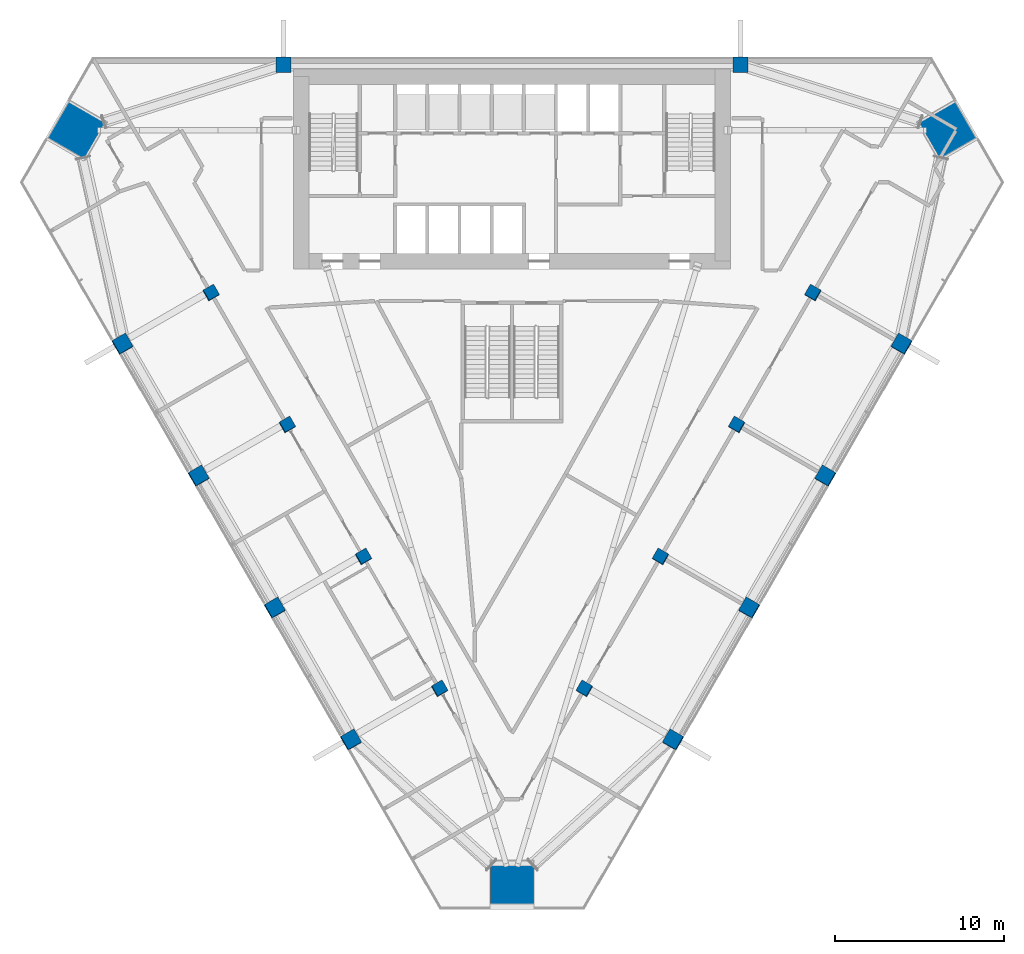
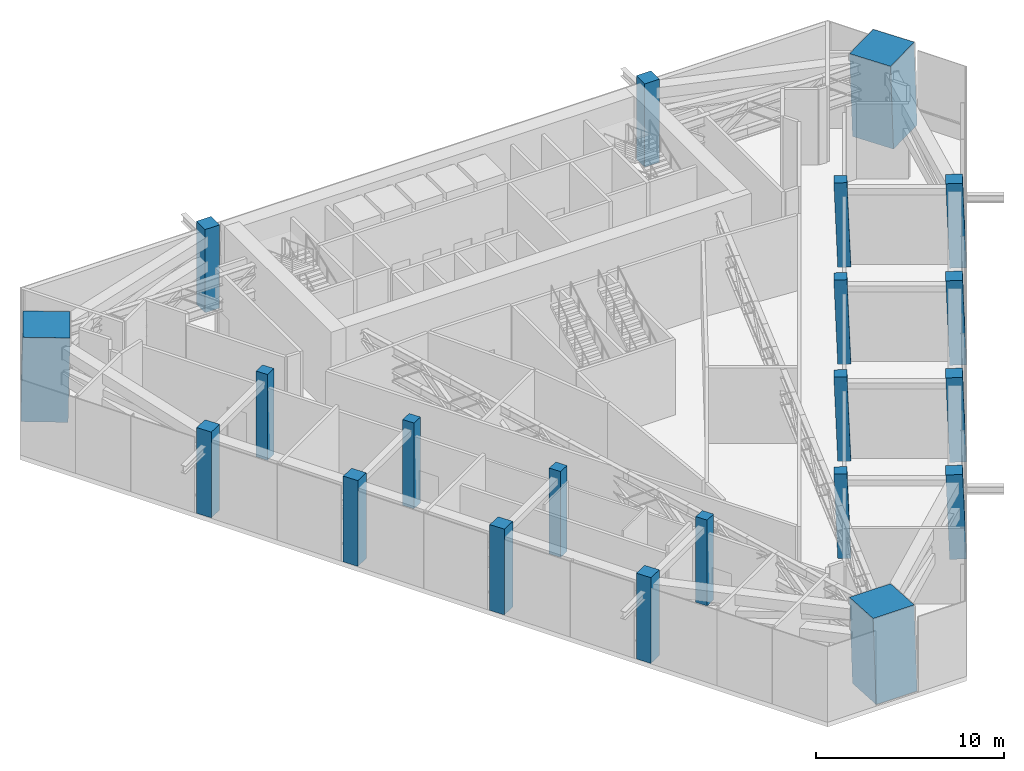
# One storey, part 1 of 15: 21 columns.
"""IFC4 building model written with IfcOpenShell, lengths in metres."""

from ifc_helpers import new_model, si_unit, direction, frame, origin, origin_2d, place, context, subcontext, project, spatial, rectangle, extrude, material, material_profile, profile_set, type_object, element, save


model = new_model("IFC4")

# Units and contexts
model_context = context("Model", 3, precision=1e-05, world=origin(), true_north=direction((0.0, 1.0)))
body_context = subcontext(model_context, "Body", "Model", "MODEL_VIEW")
ifc_project = project(units=[si_unit("LENGTHUNIT", "METRE"), si_unit("AREAUNIT", "SQUARE_METRE"), si_unit("VOLUMEUNIT", "CUBIC_METRE"), si_unit("PLANEANGLEUNIT", "RADIAN"), si_unit("MASSUNIT", "GRAM", prefix="KILO")], contexts=[model_context])

# Site, building, storey
site_placement = place(None, origin())
site = spatial("IfcSite", under=ifc_project, at=site_placement, CompositionType="ELEMENT")
building_placement = place(site_placement, origin())
building = spatial("IfcBuilding", under=site, at=building_placement, Name="Altiplano Prism Tower", CompositionType="ELEMENT")
storey_placement = place(building_placement, frame((0.0, 0.0, 95.39990234375)))
storey = spatial("IfcBuildingStorey", under=building, at=storey_placement, Name="L24", CompositionType="ELEMENT", Elevation=95.39990234375)

# Columns
ifc_material_1 = material(Name="Concrete C60/75", Category="concrete")
ifc_material_profile_1 = material_profile(ifc_material_1, rectangle(XDim=0.699951171875, YDim=0.699951171875, at=origin_2d()), Name="Inner column 700")
ifc_profile_set_1 = profile_set([ifc_material_profile_1], Name="Concrete C60/75")
column_type_1 = type_object("IfcColumnType", Name="Inner column 700", PredefinedType="COLUMN", material=ifc_profile_set_1)
for number, where, z_axis, x_axis, name in (
    (1, (67.2119140625, 91.072998046875, -0.021240234375), (0.022221387519, 0.03843577394, 0.999013964476), (-0.865895789007, -0.498744584601, 0.038448952018), "Inner column I11 L24"),
    (2, (71.7119140625, 83.278564453125, -0.021240234375), (0.02222134892, 0.038480872521, 0.999012229206), (-0.865641199628, -0.499183724956, 0.03848275256), "Inner column I12 L24"),
    (3, (76.2119140625, 75.484375, -0.021240234375), (0.02222134892, 0.038480872521, 0.999012229206), (-0.865642238454, -0.499181927069, 0.038482706414), "Inner column I13 L24"),
    (4, (80.7119140625, 67.690185546875, -0.021240234375), (0.022221387519, 0.03843577394, 0.999013964476), (-0.865896826916, -0.498742786184, 0.038448905913), "Inner column I14 L24"),
    (5, (89.2880859375, 67.690185546875, -0.021240234375), (-0.022221387519, 0.03843577394, 0.999013964476), (-0.499728821535, -0.865897409923, 0.02219865797), "Inner column I21 L24"),
    (6, (93.7880859375, 75.484375, -0.021240234375), (-0.02222134892, 0.038480872521, 0.999012229206), (-0.50016969786, -0.865642319979, 0.02221817285), "Inner column I22 L24"),
    (7, (98.2880859375, 83.278564453125, -0.021240234375), (-0.02222134892, 0.038480872521, 0.999012229206), (-0.500171495747, -0.865641283205, 0.022218092924), "Inner column I23 L24"),
    (8, (102.7880859375, 91.072998046875, -0.021240234375), (-0.022221387519, 0.03843577394, 0.999013964476), (-0.499730604839, -0.865896382766, 0.022198578785), "Inner column I24 L24"),
):
    element("IfcColumn", number, at=place(storey_placement, frame(where, z_axis=z_axis, x_axis=x_axis)), inside=storey, type_object=column_type_1, Name=name, PredefinedType="COLUMN", context=body_context, shape_type="SweptSolid", body=[
        extrude(rectangle(XDim=0.699951171875, YDim=0.699951171875, at=origin_2d()), origin(), (0.0, 0.0, 1.0), 5.405517578125),
    ])
ifc_material_2 = material(Name="Concrete C70/85", Category="concrete")
ifc_material_profile_2 = material_profile(ifc_material_2, rectangle(XDim=2.52001953125, YDim=2.52001953125, at=origin_2d()), Name="Mega column infill 2600")
ifc_profile_set_2 = profile_set([ifc_material_profile_2], Name="Concrete C70/85")
column_type_2 = type_object("IfcColumnType", Name="Mega column infill 2600", PredefinedType="COLUMN", material=ifc_profile_set_2)
column_1_placement = place(storey_placement, frame((59.195556640625, 100.653076171875, 0.0), z_axis=(0.028379226033, 0.009263919326, 0.99955430034), x_axis=(-0.865959144899, 0.499716484504, 0.019954810962)))
element("IfcColumn", 9, at=column_1_placement, inside=storey, type_object=column_type_2, Name="Mega column M0 L24", PredefinedType="COLUMN", context=body_context, shape_type="SweptSolid", body=[
    extrude(rectangle(XDim=2.52001953125, YDim=2.52001953125, at=origin_2d()), origin(), (0.0, 0.0, 1.0), 5.402587890625),
])
column_2_placement = place(storey_placement, frame((85.0, 55.95849609375, 0.0), z_axis=(0.0, 0.058356907999, 0.998295783467), x_axis=(-1.0, 0.0, 0.0)))
element("IfcColumn", 10, at=column_2_placement, inside=storey, type_object=column_type_2, Name="Mega column M1 L24", PredefinedType="COLUMN", context=body_context, shape_type="SweptSolid", body=[
    extrude(rectangle(XDim=2.52001953125, YDim=2.52001953125, at=origin_2d()), origin(), (0.0, 0.0, 1.0), 5.409423828125),
])
column_3_placement = place(storey_placement, frame((110.804443359375, 100.653076171875, 0.0), z_axis=(-0.028379226033, 0.009263919326, 0.99955430034), x_axis=(0.499308901277, -0.866139489294, 0.022203742724)))
element("IfcColumn", 11, at=column_3_placement, inside=storey, type_object=column_type_2, Name="Mega column M2 L24", PredefinedType="COLUMN", context=body_context, shape_type="SweptSolid", body=[
    extrude(rectangle(XDim=2.52001953125, YDim=2.52001953125, at=origin_2d()), origin(), (0.0, 0.0, 1.0), 5.402587890625),
])
ifc_material_profile_3 = material_profile(ifc_material_1, rectangle(XDim=0.89990234375, YDim=0.89990234375, at=origin_2d()), Name="Perimeter column 900")
ifc_profile_set_3 = profile_set([ifc_material_profile_3], Name="Concrete C60/75")
column_type_3 = type_object("IfcColumnType", Name="Perimeter column 900", PredefinedType="COLUMN", material=ifc_profile_set_3)
for number, where, z_axis, x_axis, name in (
    (12, (98.5, 104.550048828125, 0.0), (0.0, 0.0, 1.0), (1.0, 0.0, 0.0), "Perimeter column P01 L24"),
    (13, (71.5, 104.550048828125, 0.0), (0.0, 0.0, 1.0), (1.0, 0.0, 0.0), "Perimeter column P04 L24"),
):
    element("IfcColumn", number, at=place(storey_placement, frame(where, z_axis=z_axis, x_axis=x_axis)), inside=storey, type_object=column_type_3, Name=name, PredefinedType="COLUMN", context=body_context, shape_type="SweptSolid", body=[
        extrude(rectangle(XDim=0.89990234375, YDim=0.89990234375, at=origin_2d()), origin(), (0.0, 0.0, 1.0), 5.400146484375),
    ])
for number, where, z_axis, x_axis, name in (
    (14, (61.972900390625, 88.048828125, 0.0), (0.022221387519, 0.03843577394, 0.999013964476), (-0.865895797729, -0.498744569488, 0.038448951631), "Perimeter column P11 L24"),
    (15, (66.472900390625, 80.25439453125, 0.0), (0.02222134892, 0.038480872521, 0.999012229206), (-0.865641208358, -0.499183709848, 0.038482752172), "Perimeter column P12 L24"),
    (16, (70.972900390625, 72.460205078125, 0.0), (0.022221387519, 0.03843577394, 0.999013964476), (-0.865896835638, -0.498742771071, 0.038448905525), "Perimeter column P13 L24"),
    (17, (75.472900390625, 64.666015625, 0.0), (0.022221387519, 0.03843577394, 0.999013964476), (-0.865896835638, -0.498742771071, 0.038448905525), "Perimeter column P14 L24"),
    (18, (94.527099609375, 64.666015625, 0.0), (-0.022221387519, 0.03843577394, 0.999013964476), (-0.499728806422, -0.865897418628, 0.022198658642), "Perimeter column P21 L24"),
    (19, (99.027099609375, 72.460205078125, 0.0), (-0.022221387519, 0.03843577394, 0.999013964476), (-0.499728806422, -0.865897418628, 0.022198658642), "Perimeter column P22 L24"),
    (20, (103.527099609375, 80.25439453125, 0.0), (-0.02222134892, 0.038480872521, 0.999012229206), (-0.500171480639, -0.865641291917, 0.022218093596), "Perimeter column P23 L24"),
    (21, (108.027099609375, 88.048828125, 0.0), (-0.022221387519, 0.03843577394, 0.999013964476), (-0.499730604839, -0.865896382766, 0.022198578785), "Perimeter column P24 L24"),
):
    element("IfcColumn", number, at=place(storey_placement, frame(where, z_axis=z_axis, x_axis=x_axis)), inside=storey, type_object=column_type_3, Name=name, PredefinedType="COLUMN", context=body_context, shape_type="SweptSolid", body=[
        extrude(rectangle(XDim=0.89990234375, YDim=0.89990234375, at=origin_2d()), origin(), (0.0, 0.0, 1.0), 5.405517578125),
    ])

save(model, "model.ifc")
